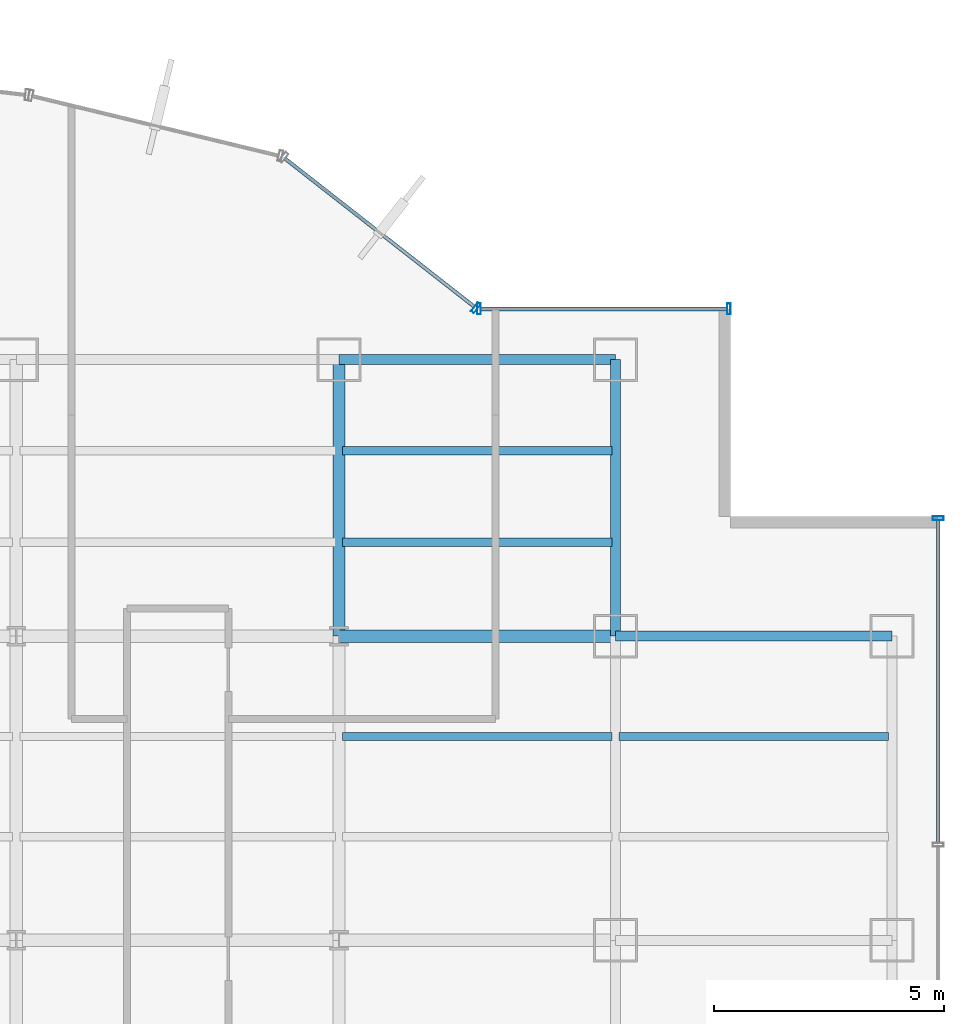
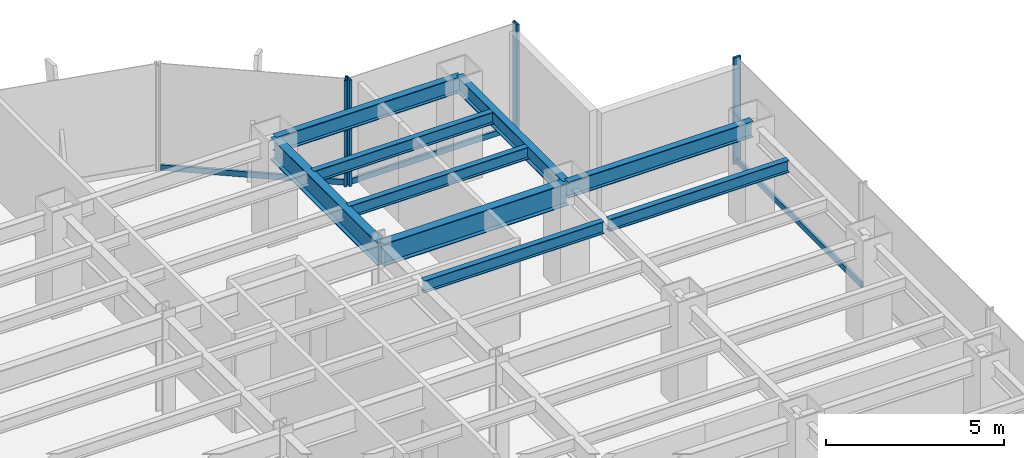
# One storey, part 15 of 22: 9 beams, 7 members, 3 elements without a shape of their own.
"""IFC4 building model written with IfcOpenShell, lengths in metres."""

from ifc_helpers import new_model, si_unit, derived_unit, direction, frame, origin, origin_2d, place, context, subcontext, project, spatial, hollow_rectangle, i_section, extrude, source, transform, mapped, material, material_profile, profile_set, type_object, element, aggregate, save


model = new_model("IFC4")

# Units and contexts
model_context = context("Model", 3, precision=1e-05, world=origin(), true_north=direction((0.0, 1.0)))
body_context = subcontext(model_context, "Body", "Model", "MODEL_VIEW")
ifc_project = project(units=[si_unit("LENGTHUNIT", "METRE"), si_unit("AREAUNIT", "SQUARE_METRE"), si_unit("VOLUMEUNIT", "CUBIC_METRE"), si_unit("PLANEANGLEUNIT", "RADIAN"), si_unit("MASSUNIT", "GRAM", prefix="KILO"), derived_unit("THERMALTRANSMITTANCEUNIT", [(si_unit("POWERUNIT", "WATT"), 1), (si_unit("LENGTHUNIT", "METRE"), -2), (si_unit("THERMODYNAMICTEMPERATUREUNIT", "KELVIN"), -1)])], contexts=[model_context])

# Site, building, storey
site_placement = place(None, origin())
site = spatial("IfcSite", under=ifc_project, at=site_placement, CompositionType="ELEMENT")
building_placement = place(site_placement, origin())
building = spatial("IfcBuilding", under=site, at=building_placement, Name="Skarnbrae Concourse Arena and Tower", CompositionType="ELEMENT")
storey_placement = place(building_placement, frame((0.0, 0.0, 39.800048828125)))
storey = spatial("IfcBuildingStorey", under=building, at=storey_placement, Name="L08", CompositionType="ELEMENT", Elevation=39.800048828125)

# Beams
ifc_material_1 = material(Name="Steel CSA G40.21 350W", Category="steel")
ifc_material_profile_1 = material_profile(ifc_material_1, i_section(OverallWidth=0.214111328125, OverallDepth=0.549072265625, WebThickness=0.0146484375, FlangeThickness=0.023681640625, at=origin_2d()), Name="W530X138")
ifc_profile_set_1 = profile_set([ifc_material_profile_1], Name="Steel CSA G40.21 350W")
beam_type_1 = type_object("IfcBeamType", Name="BM-SPAN-W530X138", PredefinedType="SPANDREL", material=ifc_profile_set_1)
shared_shape_1 = source(origin(), body_context, "Body", "SweptSolid", [
    extrude(i_section(OverallWidth=0.214111328125, OverallDepth=0.549072265625, WebThickness=0.0146484375, FlangeThickness=0.023681640625, at=origin_2d()), origin(), (0.0, 0.0, 1.0), 6.0),
])
for number, where, z_axis, x_axis, name in (
    (1, (55.0, 34.39990234375, 3.12548828125), (1.0, 0.0, 0.0), (0.0, 1.0, 0.0), "L08 Perimeter spandrel Y34.4-9"),
    (2, (49.0, 40.39990234375, 3.12548828125), (1.0, 0.0, 0.0), (0.0, 1.0, 0.0), "L08 Perimeter spandrel Y40.4-7"),
    (3, (55.0, 34.39990234375, 3.12548828125), (0.0, 1.0, 0.0), (-1.0, 0.0, 0.0), "L08 Perimeter spandrel X55.0-5"),
):
    element("IfcBeam", number, at=place(storey_placement, frame(where, z_axis=z_axis, x_axis=x_axis)), inside=storey, type_object=beam_type_1, Name=name, PredefinedType="SPANDREL", context=body_context, shape_type="MappedRepresentation", body=[
        mapped(shared_shape_1, transform((0.0, 0.0, 0.0))),
    ])
ifc_material_profile_2 = material_profile(ifc_material_1, i_section(OverallWidth=0.26806640625, OverallDepth=0.77001953125, WebThickness=0.015625, FlangeThickness=0.025390625, at=origin_2d()), Name="W760X196")
ifc_profile_set_2 = profile_set([ifc_material_profile_2], Name="Steel CSA G40.21 350W")
beam_type_2 = type_object("IfcBeamType", Name="BM-GIRD-W760X196", PredefinedType="BEAM", material=ifc_profile_set_2)
shared_shape_2 = source(origin(), body_context, "Body", "SweptSolid", [
    extrude(i_section(OverallWidth=0.26806640625, OverallDepth=0.77001953125, WebThickness=0.015625, FlangeThickness=0.025390625, at=origin_2d()), origin(), (0.0, 0.0, 1.0), 6.0),
])
for number, where, z_axis, x_axis, name in (
    (4, (49.0, 34.39990234375, 3.014892578125), (1.0, 0.0, 0.0), (0.0, 1.0, 0.0), "L08 Primary E-W girder Y34.4-8"),
    (5, (49.0, 34.39990234375, 3.014892578125), (0.0, 1.0, 0.0), (-1.0, 0.0, 0.0), "L08 Primary N-S girder X49.0-5"),
):
    element("IfcBeam", number, at=place(storey_placement, frame(where, z_axis=z_axis, x_axis=x_axis)), inside=storey, type_object=beam_type_2, Name=name, PredefinedType="BEAM", context=body_context, shape_type="MappedRepresentation", body=[
        mapped(shared_shape_2, transform((0.0, 0.0, 0.0))),
    ])
ifc_material_profile_3 = material_profile(ifc_material_1, i_section(OverallWidth=0.180908203125, OverallDepth=0.4169921875, WebThickness=0.010986328125, FlangeThickness=0.018310546875, at=origin_2d()), Name="W410X85")
ifc_profile_set_3 = profile_set([ifc_material_profile_3], Name="Steel CSA G40.21 350W")
beam_type_3 = type_object("IfcBeamType", Name="BM-JOIST-W410X85", PredefinedType="JOIST", material=ifc_profile_set_3)
shared_shape_3 = source(origin(), body_context, "Body", "SweptSolid", [
    extrude(i_section(OverallWidth=0.180908203125, OverallDepth=0.4169921875, WebThickness=0.010986328125, FlangeThickness=0.018310546875, at=origin_2d()), origin(), (0.0, 0.0, 1.0), 5.83984375),
])
for number, where, z_axis, x_axis, name in (
    (6, (49.080078125, 32.221923828125, 3.19140625), (1.0, 0.0, 0.0), (0.0, 1.0, 0.0), "L08 Secondary floor joist 3.2.8"),
    (7, (55.080078125, 32.221923828125, 3.19140625), (1.0, 0.0, 0.0), (0.0, 1.0, 0.0), "L08 Secondary floor joist 3.2.9"),
    (8, (49.080078125, 36.43994140625, 3.19140625), (1.0, 0.0, 0.0), (0.0, 1.0, 0.0), "L08 Secondary floor joist 4.1.7"),
    (9, (49.080078125, 38.419921875, 3.19140625), (1.0, 0.0, 0.0), (0.0, 1.0, 0.0), "L08 Secondary floor joist 4.2.7"),
):
    element("IfcBeam", number, at=place(storey_placement, frame(where, z_axis=z_axis, x_axis=x_axis)), inside=storey, type_object=beam_type_3, Name=name, PredefinedType="JOIST", context=body_context, shape_type="MappedRepresentation", body=[
        mapped(shared_shape_3, transform((0.0, 0.0, 0.0))),
    ])

# Curtain wall, member
ifc_material_2 = material(Name="Bronze anodised aluminium 6063-T6", Category="aluminium")
curtain_wall_type = type_object("IfcCurtainWallType", Name="CW-SYS-02-LOWZONE", PredefinedType="USERDEFINED", material=ifc_material_2)
curtain_wall_1_placement = place(storey_placement, origin())
curtain_wall_1 = element("IfcCurtainWall", 10, at=curtain_wall_1_placement, inside=storey, type_object=curtain_wall_type, Name="L08 Unitised curtain wall CW-L08-E04", ObjectType="UNITISED CURTAIN WALL", PredefinedType="USERDEFINED")
ifc_material_profile_4 = material_profile(ifc_material_2, hollow_rectangle(XDim=0.080078125, YDim=0.239990234375, WallThickness=0.0048828125, at=origin_2d()), Name="ALU-MULL-80X240")
ifc_profile_set_4 = profile_set([ifc_material_profile_4], Name="Bronze anodised aluminium 6063-T6")
member_type_1 = type_object("IfcMemberType", Name="CWM-CW-02", PredefinedType="MULLION", material=ifc_profile_set_4)
shared_shape_4 = source(origin(), body_context, "Body", "SweptSolid", [
    extrude(hollow_rectangle(XDim=0.080078125, YDim=0.239990234375, WallThickness=0.0048828125, at=origin_2d()), origin(), (0.0, 0.0, 1.0), 3.64990234375),
])
member_1_placement = place(storey_placement, frame((62.0, 36.9599609375, 0.0), z_axis=(0.0, 0.0, 1.0), x_axis=(0.0, 1.0, 0.0)))
member_1 = element("IfcMember", 11, at=member_1_placement, type_object=member_type_1, Name="CW-L08-E04 Mullion 5", PredefinedType="MULLION", context=body_context, shape_type="MappedRepresentation", body=[
    mapped(shared_shape_4, transform((0.0, 0.0, 0.0))),
])

# Curtain wall, members
curtain_wall_2_placement = place(storey_placement, origin())
curtain_wall_2 = element("IfcCurtainWall", 12, at=curtain_wall_2_placement, inside=storey, type_object=curtain_wall_type, Name="L08 Unitised curtain wall CW-L08-E07", ObjectType="UNITISED CURTAIN WALL", PredefinedType="USERDEFINED")
member_2_placement = place(storey_placement, frame((57.4599609375, 41.5, 0.0), z_axis=(0.0, 0.0, 1.0), x_axis=(-1.0, 0.0, 0.0)))
member_2 = element("IfcMember", 13, at=member_2_placement, type_object=member_type_1, Name="CW-L08-E07 Mullion 1", PredefinedType="MULLION", context=body_context, shape_type="MappedRepresentation", body=[
    mapped(shared_shape_4, transform((0.0, 0.0, 0.0))),
])
member_3_placement = place(storey_placement, frame((52.0400390625, 41.5, 0.0), z_axis=(0.0, 0.0, 1.0), x_axis=(-1.0, 0.0, 0.0)))
member_3 = element("IfcMember", 14, at=member_3_placement, type_object=member_type_1, Name="CW-L08-E07 Mullion 2", PredefinedType="MULLION", context=body_context, shape_type="MappedRepresentation", body=[
    mapped(shared_shape_4, transform((0.0, 0.0, 0.0))),
])

# Curtain wall, member
curtain_wall_3_placement = place(storey_placement, origin())
curtain_wall_3 = element("IfcCurtainWall", 15, at=curtain_wall_3_placement, inside=storey, type_object=curtain_wall_type, Name="L08 Unitised curtain wall CW-L08-E08", ObjectType="UNITISED CURTAIN WALL", PredefinedType="USERDEFINED")
member_4_placement = place(storey_placement, frame((51.968505859375, 41.524658203125, 0.0), z_axis=(0.0, 0.0, 1.0), x_axis=(-0.787651726054, 0.616120733658, 0.0)))
member_4 = element("IfcMember", 16, at=member_4_placement, type_object=member_type_1, Name="CW-L08-E08 Mullion 1", PredefinedType="MULLION", context=body_context, shape_type="MappedRepresentation", body=[
    mapped(shared_shape_4, transform((0.0, 0.0, 0.0))),
])

# Member
ifc_material_profile_5 = material_profile(ifc_material_2, hollow_rectangle(XDim=0.080078125, YDim=0.18994140625, WallThickness=0.0048828125, at=origin_2d()), Name="ALU-TRAN-80X190")
ifc_profile_set_5 = profile_set([ifc_material_profile_5], Name="Bronze anodised aluminium 6063-T6")
member_type_2 = type_object("IfcMemberType", Name="CWT-CW-02", PredefinedType="USERDEFINED", material=ifc_profile_set_5)
shared_shape_5 = source(origin(), body_context, "Body", "SweptSolid", [
    extrude(hollow_rectangle(XDim=0.080078125, YDim=0.18994140625, WallThickness=0.0048828125, at=origin_2d()), origin(), (0.0, 0.0, 1.0), 7.0048828125),
])
member_5_placement = place(storey_placement, frame((62.0, 29.9150390625, 0.094970703125), z_axis=(0.0, 1.0, 0.0), x_axis=(-1.0, 0.0, 0.0)))
member_5 = element("IfcMember", 17, at=member_5_placement, type_object=member_type_2, Name="CW-L08-E04 Transom 4", ObjectType="TRANSOM", PredefinedType="USERDEFINED", context=body_context, shape_type="MappedRepresentation", body=[
    mapped(shared_shape_5, transform((0.0, 0.0, 0.0))),
])

aggregate(curtain_wall_1, [member_1, member_5])

shared_shape_6 = source(origin(), body_context, "Body", "SweptSolid", [
    extrude(hollow_rectangle(XDim=0.080078125, YDim=0.18994140625, WallThickness=0.0048828125, at=origin_2d()), origin(), (0.0, 0.0, 1.0), 5.33984375),
])
member_6_placement = place(storey_placement, frame((57.419921875, 41.5, 0.094970703125), z_axis=(-1.0, 0.0, 0.0), x_axis=(0.0, -1.0, 0.0)))
member_6 = element("IfcMember", 18, at=member_6_placement, type_object=member_type_2, Name="CW-L08-E07 Transom 1", ObjectType="TRANSOM", PredefinedType="USERDEFINED", context=body_context, shape_type="MappedRepresentation", body=[
    mapped(shared_shape_6, transform((0.0, 0.0, 0.0))),
])

aggregate(curtain_wall_2, [member_2, member_3, member_6])

shared_shape_7 = source(origin(), body_context, "Body", "SweptSolid", [
    extrude(hollow_rectangle(XDim=0.080078125, YDim=0.18994140625, WallThickness=0.0048828125, at=origin_2d()), origin(), (0.0, 0.0, 1.0), 5.215087890625),
])
member_7_placement = place(storey_placement, frame((51.93701171875, 41.54931640625, 0.094970703125), z_axis=(-0.787650196702, 0.616122688784, 0.0), x_axis=(-0.616122688784, -0.787650196702, 0.0)))
member_7 = element("IfcMember", 19, at=member_7_placement, type_object=member_type_2, Name="CW-L08-E08 Transom 1", ObjectType="TRANSOM", PredefinedType="USERDEFINED", context=body_context, shape_type="MappedRepresentation", body=[
    mapped(shared_shape_7, transform((0.0, 0.0, 0.0))),
])

aggregate(curtain_wall_3, [member_4, member_7])

save(model, "model.ifc")
